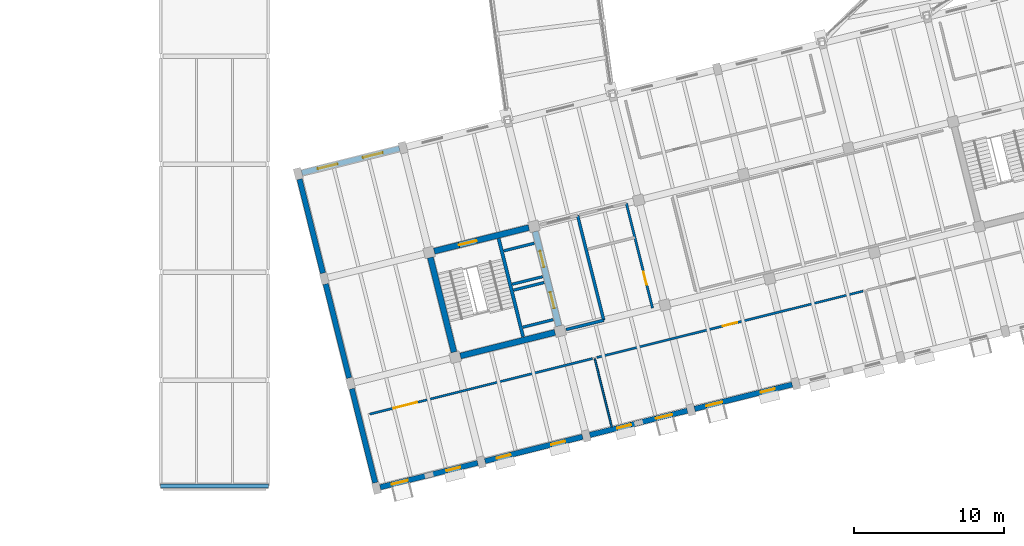
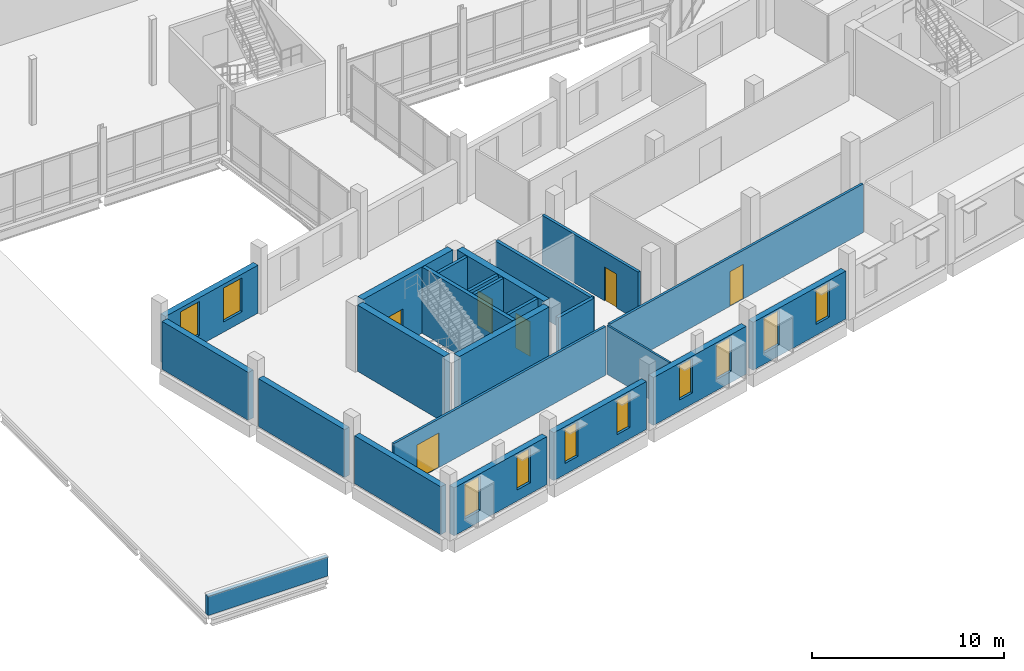
# One storey, part 54 of 72: 24 walls, 10 windows, 6 doors, 16 openings.
"""IFC4 building model written with IfcOpenShell, lengths in metres."""

from ifc_helpers import new_model, si_unit, direction, frame, frame_2d, origin, place, context, subcontext, project, spatial, rectangle, extrude, material, layer, layer_set, type_object, element, fill, save


model = new_model("IFC4")

# Units and contexts
model_context = context("Model", 3, precision=1e-05, world=origin(), true_north=direction((0.0, 1.0)))
body_context = subcontext(model_context, "Body", "Model", "MODEL_VIEW")
ifc_project = project(units=[si_unit("LENGTHUNIT", "METRE"), si_unit("AREAUNIT", "SQUARE_METRE"), si_unit("VOLUMEUNIT", "CUBIC_METRE"), si_unit("PLANEANGLEUNIT", "RADIAN"), si_unit("MASSUNIT", "GRAM", prefix="KILO")], contexts=[model_context])

# Site, building, storey
site_placement = place(None, origin())
site = spatial("IfcSite", under=ifc_project, at=site_placement, CompositionType="ELEMENT")
building_placement = place(site_placement, origin())
building = spatial("IfcBuilding", under=site, at=building_placement, Name="Qiaolan Assembly House", CompositionType="ELEMENT")
storey_placement = place(building_placement, frame((0.0, 0.0, 10.199951171875)))
storey = spatial("IfcBuildingStorey", under=building, at=storey_placement, Name="L02", CompositionType="ELEMENT", Elevation=10.199951171875)

# Wall
ifc_material_1 = material(Name="Concrete C45/55", Category="concrete")
ifc_layer_1 = layer(ifc_material_1, 0.39990234375)
ifc_layer_set_1 = layer_set([ifc_layer_1], Name="Concrete C45/55")
wall_type_1 = type_object("IfcWallType", Name="WAL-CORE-400", PredefinedType="SHEAR", material=ifc_layer_set_1)
wall_1_placement = place(storey_placement, frame((41.583984375, 8.812744140625, 0.0), z_axis=(0.0, 0.0, 1.0), x_axis=(0.970294759049, 0.241925774902, 0.0)))
element("IfcWall", 1, at=wall_1_placement, inside=storey, type_object=wall_type_1, Name="CW-400 shear core wall CORE-C S L02", PredefinedType="SHEAR", context=body_context, shape_type="SweptSolid", body=[
    extrude(rectangle(XDim=6.5, YDim=0.39990234375, at=frame_2d((3.25, 0.0))), origin(), (0.0, 0.0, 1.0), 4.199951171875),
])

# Wall, openings, doors
wall_2_placement = place(storey_placement, frame((48.145751953125, 10.809326171875, 0.0), z_axis=(0.0, 0.0, 1.0), x_axis=(-0.241925774902, 0.970294759049, 0.0)))
wall_2 = element("IfcWall", 2, at=wall_2_placement, inside=storey, type_object=wall_type_1, Name="CW-400 shear core wall CORE-C E L02", PredefinedType="SHEAR", context=body_context, shape_type="SweptSolid", body=[
    extrude(rectangle(XDim=6.5, YDim=0.39990234375, at=frame_2d((3.25, 0.0))), origin(), (0.0, 0.0, 1.0), 4.199951171875),
])
opening_1_placement = place(wall_2_placement, frame((1.22509765625, 0.0, 0.0)))
opening_1 = element("IfcOpeningElement", 3, at=opening_1_placement, cuts=wall_2, Name="Opening LD-048", PredefinedType="OPENING", context=body_context, shape_type="SweptSolid", body=[
    extrude(rectangle(XDim=1.10009765625, YDim=2.199951171875, at=frame_2d((0.550048828125, 1.10009765625))), frame((0.0, 0.2099609375, 0.0), z_axis=(0.0, -1.0, 0.0), x_axis=(1.0, 0.0, 0.0)), (0.0, 0.0, 1.0), 0.419921875),
])
opening_2_placement = place(wall_2_placement, frame((4.050048828125, 0.0, 0.0)))
opening_2 = element("IfcOpeningElement", 4, at=opening_2_placement, cuts=wall_2, Name="Opening LD-054", PredefinedType="OPENING", context=body_context, shape_type="SweptSolid", body=[
    extrude(rectangle(XDim=1.10009765625, YDim=2.199951171875, at=frame_2d((0.550048828125, 1.10009765625))), frame((0.0, 0.2099609375, 0.0), z_axis=(0.0, -1.0, 0.0), x_axis=(1.0, 0.0, 0.0)), (0.0, 0.0, 1.0), 0.419921875),
])
ifc_material_2 = material(Name="Anodised bronze aluminium", Category="aluminium")
door_type_1 = type_object("IfcDoorType", Name="DOR-LIFT-LD1100", OperationType="SLIDING_TO_LEFT", PredefinedType="DOOR", material=ifc_material_2)
door_1_placement = place(opening_1_placement, origin())
door_1 = element("IfcDoor", 5, at=door_1_placement, inside=storey, type_object=door_type_1, Name="Lift landing door LD-048 (LF-06 L02)", OperationType="SLIDING_TO_LEFT", OverallHeight=2.199951171875, OverallWidth=1.10009765625, PredefinedType="DOOR", context=body_context, shape_type="SweptSolid", body=[
    extrude(rectangle(XDim=1.10009765625, YDim=2.199951171875, at=frame_2d((0.550048828125, 1.10009765625))), frame((0.0, 0.02490234375, 0.0), z_axis=(0.0, -1.0, 0.0), x_axis=(1.0, 0.0, 0.0)), (0.0, 0.0, 1.0), 0.050048828125),
])
fill(opening_1, door_1)
door_2_placement = place(opening_2_placement, origin())
door_2 = element("IfcDoor", 6, at=door_2_placement, inside=storey, type_object=door_type_1, Name="Lift landing door LD-054 (LF-07 L02)", OperationType="SLIDING_TO_LEFT", OverallHeight=2.199951171875, OverallWidth=1.10009765625, PredefinedType="DOOR", context=body_context, shape_type="SweptSolid", body=[
    extrude(rectangle(XDim=1.10009765625, YDim=2.199951171875, at=frame_2d((0.550048828125, 1.10009765625))), frame((0.0, 0.02490234375, 0.0), z_axis=(0.0, -1.0, 0.0), x_axis=(1.0, 0.0, 0.0)), (0.0, 0.0, 1.0), 0.050048828125),
])
fill(opening_2, door_2)

# Wall, opening, door
wall_3_placement = place(storey_placement, frame((46.14892578125, 17.371337890625, 0.0), z_axis=(0.0, 0.0, 1.0), x_axis=(-0.970294759049, -0.241925774902, 0.0)))
wall_3 = element("IfcWall", 7, at=wall_3_placement, inside=storey, type_object=wall_type_1, Name="CW-400 shear core wall CORE-C N L02", PredefinedType="SHEAR", context=body_context, shape_type="SweptSolid", body=[
    extrude(rectangle(XDim=6.5, YDim=0.39990234375, at=frame_2d((3.25, 0.0))), origin(), (0.0, 0.0, 1.0), 4.199951171875),
])
opening_3_placement = place(wall_3_placement, frame((3.60009765625, 0.0, 0.0)))
opening_3 = element("IfcOpeningElement", 8, at=opening_3_placement, cuts=wall_3, Name="Opening FD-079", PredefinedType="OPENING", context=body_context, shape_type="SweptSolid", body=[
    extrude(rectangle(XDim=1.199951171875, YDim=2.199951171875, at=frame_2d((0.60009765625, 1.10009765625))), frame((0.0, 0.2099609375, 0.0), z_axis=(0.0, -1.0, 0.0), x_axis=(1.0, 0.0, 0.0)), (0.0, 0.0, 1.0), 0.419921875),
])
ifc_material_3 = material(Name="Steel Q355B", Category="steel")
door_type_2 = type_object("IfcDoorType", Name="DOR-FIRE-FD90-1200", OperationType="NOTDEFINED", PredefinedType="DOOR", material=ifc_material_3)
door_3_placement = place(opening_3_placement, frame((1.199951171875, 0.0, 0.0), z_axis=(0.0, 0.0, 1.0), x_axis=(-1.0, 0.0, 0.0)))
door_3 = element("IfcDoor", 9, at=door_3_placement, inside=storey, type_object=door_type_2, Name="Stairwell fire door FD-079 (CORE-C L02)", OperationType="SINGLE_SWING_LEFT", OverallHeight=2.199951171875, OverallWidth=1.199951171875, PredefinedType="DOOR", context=body_context, shape_type="SweptSolid", body=[
    extrude(rectangle(XDim=1.199951171875, YDim=2.199951171875, at=frame_2d((0.60009765625, 1.10009765625))), frame((0.0, 0.02490234375, 0.0), z_axis=(0.0, -1.0, 0.0), x_axis=(1.0, 0.0, 0.0)), (0.0, 0.0, 1.0), 0.050048828125),
])
fill(opening_3, door_3)

# Wall
wall_4_placement = place(storey_placement, frame((39.587158203125, 15.37451171875, 0.0), z_axis=(0.0, 0.0, 1.0), x_axis=(0.241925774902, -0.970294759049, 0.0)))
element("IfcWall", 10, at=wall_4_placement, inside=storey, type_object=wall_type_1, Name="CW-400 shear core wall CORE-C W L02", PredefinedType="SHEAR", context=body_context, shape_type="SweptSolid", body=[
    extrude(rectangle(XDim=6.5, YDim=0.39990234375, at=frame_2d((3.25, 0.0))), origin(), (0.0, 0.0, 1.0), 4.199951171875),
])

# Wall, openings, windows
ifc_material_4 = material(Name="Honed pale limestone", Category="masonry")
ifc_layer_2 = layer(ifc_material_4, 0.360107421875)
ifc_layer_set_2 = layer_set([ifc_layer_2], Name="Honed pale limestone")
wall_type_2 = type_object("IfcWallType", Name="WAL-EXT-LIMESTONE-360", PredefinedType="SOLIDWALL", material=ifc_layer_set_2)
wall_5_placement = place(storey_placement, frame((36.24072265625, 0.06005859375, 0.0), z_axis=(0.0, 0.0, 1.0), x_axis=(0.970296540998, 0.241918627903, 0.0)))
wall_5 = element("IfcWall", 11, at=wall_5_placement, inside=storey, type_object=wall_type_2, Name="EW-360 SE South boulevard wall L02 bay 1", PredefinedType="SOLIDWALL", context=body_context, shape_type="SweptSolid", body=[
    extrude(rectangle(XDim=6.7041015625, YDim=0.360107421875, at=frame_2d((3.35205078125, 0.0))), origin(), (0.0, 0.0, 1.0), 3.0400390625),
])
opening_4_placement = place(wall_5_placement, frame((0.802001953125, 0.0, 0.699951171875)))
opening_4 = element("IfcOpeningElement", 12, at=opening_4_placement, cuts=wall_5, Name="Opening WN-280", PredefinedType="OPENING", context=body_context, shape_type="SweptSolid", body=[
    extrude(rectangle(XDim=1.10009765625, YDim=2.18994140625, at=frame_2d((0.550048828125, 1.094970703125))), frame((0.0, 0.18994140625, 0.0), z_axis=(0.0, -1.0, 0.0), x_axis=(1.0, 0.0, 0.0)), (0.0, 0.0, 1.0), 0.380126953125),
])
opening_5_placement = place(wall_5_placement, frame((4.552001953125, 0.0, 0.699951171875)))
opening_5 = element("IfcOpeningElement", 13, at=opening_5_placement, cuts=wall_5, Name="Opening WN-281", PredefinedType="OPENING", context=body_context, shape_type="SweptSolid", body=[
    extrude(rectangle(XDim=0.949951171875, YDim=2.18994140625, at=frame_2d((0.47509765625, 1.094970703125))), frame((0.0, 0.18994140625, 0.0), z_axis=(0.0, -1.0, 0.0), x_axis=(1.0, 0.0, 0.0)), (0.0, 0.0, 1.0), 0.380126953125),
])
ifc_material_5 = material(Name="Low-E double insulating glass", Category="glass")
window_type_1 = type_object("IfcWindowType", Name="WIN-BOX-1100x2600", PartitioningType="SINGLE_PANEL", PredefinedType="WINDOW", material=ifc_material_5)
window_1_placement = place(opening_4_placement, origin())
window_1 = element("IfcWindow", 14, at=window_1_placement, inside=storey, type_object=window_type_1, Name="WN-T02 splayed window WN-280", OverallHeight=2.18994140625, OverallWidth=1.10009765625, PartitioningType="SINGLE_PANEL", PredefinedType="WINDOW", context=body_context, shape_type="SweptSolid", body=[
    extrude(rectangle(XDim=1.10009765625, YDim=2.18994140625, at=frame_2d((0.550048828125, 1.094970703125))), frame((0.0, 0.030029296875, 0.0), z_axis=(0.0, -1.0, 0.0), x_axis=(1.0, 0.0, 0.0)), (0.0, 0.0, 1.0), 0.06005859375),
])
fill(opening_4, window_1)
window_type_2 = type_object("IfcWindowType", Name="WIN-PUNCH-950x2400", PartitioningType="SINGLE_PANEL", PredefinedType="WINDOW", material=ifc_material_5)
window_2_placement = place(opening_5_placement, origin())
window_2 = element("IfcWindow", 15, at=window_2_placement, inside=storey, type_object=window_type_2, Name="WN-T06 splayed window WN-281", OverallHeight=2.18994140625, OverallWidth=0.949951171875, PartitioningType="SINGLE_PANEL", PredefinedType="WINDOW", context=body_context, shape_type="SweptSolid", body=[
    extrude(rectangle(XDim=0.949951171875, YDim=2.18994140625, at=frame_2d((0.47509765625, 1.094970703125))), frame((0.0, 0.030029296875, 0.0), z_axis=(0.0, -1.0, 0.0), x_axis=(1.0, 0.0, 0.0)), (0.0, 0.0, 1.0), 0.06005859375),
])
fill(opening_5, window_2)

wall_6_placement = place(storey_placement, frame((43.226806640625, 1.8017578125, 0.0), z_axis=(0.0, 0.0, 1.0), x_axis=(0.970296540998, 0.241918627903, 0.0)))
wall_6 = element("IfcWall", 16, at=wall_6_placement, inside=storey, type_object=wall_type_2, Name="EW-360 SE South boulevard wall L02 bay 2", PredefinedType="SOLIDWALL", context=body_context, shape_type="SweptSolid", body=[
    extrude(rectangle(XDim=6.7041015625, YDim=0.360107421875, at=frame_2d((3.35205078125, 0.0))), origin(), (0.0, 0.0, 1.0), 3.0400390625),
])
opening_6_placement = place(wall_6_placement, frame((0.802001953125, 0.0, 0.699951171875)))
opening_6 = element("IfcOpeningElement", 17, at=opening_6_placement, cuts=wall_6, Name="Opening WN-282", PredefinedType="OPENING", context=body_context, shape_type="SweptSolid", body=[
    extrude(rectangle(XDim=0.949951171875, YDim=2.18994140625, at=frame_2d((0.47509765625, 1.094970703125))), frame((0.0, 0.18994140625, 0.0), z_axis=(0.0, -1.0, 0.0), x_axis=(1.0, 0.0, 0.0)), (0.0, 0.0, 1.0), 0.380126953125),
])
opening_7_placement = place(wall_6_placement, frame((4.552001953125, 0.0, 0.699951171875)))
opening_7 = element("IfcOpeningElement", 18, at=opening_7_placement, cuts=wall_6, Name="Opening WN-283", PredefinedType="OPENING", context=body_context, shape_type="SweptSolid", body=[
    extrude(rectangle(XDim=0.949951171875, YDim=2.18994140625, at=frame_2d((0.47509765625, 1.094970703125))), frame((0.0, 0.18994140625, 0.0), z_axis=(0.0, -1.0, 0.0), x_axis=(1.0, 0.0, 0.0)), (0.0, 0.0, 1.0), 0.380126953125),
])
window_3_placement = place(opening_6_placement, origin())
window_3 = element("IfcWindow", 19, at=window_3_placement, inside=storey, type_object=window_type_2, Name="WN-T06 splayed window WN-282", OverallHeight=2.18994140625, OverallWidth=0.949951171875, PartitioningType="SINGLE_PANEL", PredefinedType="WINDOW", context=body_context, shape_type="SweptSolid", body=[
    extrude(rectangle(XDim=0.949951171875, YDim=2.18994140625, at=frame_2d((0.47509765625, 1.094970703125))), frame((0.0, 0.030029296875, 0.0), z_axis=(0.0, -1.0, 0.0), x_axis=(1.0, 0.0, 0.0)), (0.0, 0.0, 1.0), 0.06005859375),
])
fill(opening_6, window_3)
window_4_placement = place(opening_7_placement, origin())
window_4 = element("IfcWindow", 20, at=window_4_placement, inside=storey, type_object=window_type_2, Name="WN-T06 splayed window WN-283", OverallHeight=2.18994140625, OverallWidth=0.949951171875, PartitioningType="SINGLE_PANEL", PredefinedType="WINDOW", context=body_context, shape_type="SweptSolid", body=[
    extrude(rectangle(XDim=0.949951171875, YDim=2.18994140625, at=frame_2d((0.47509765625, 1.094970703125))), frame((0.0, 0.030029296875, 0.0), z_axis=(0.0, -1.0, 0.0), x_axis=(1.0, 0.0, 0.0)), (0.0, 0.0, 1.0), 0.06005859375),
])
fill(opening_7, window_4)

wall_7_placement = place(storey_placement, frame((50.212890625, 3.543701171875, 0.0), z_axis=(0.0, 0.0, 1.0), x_axis=(0.970296540998, 0.241918627903, 0.0)))
wall_7 = element("IfcWall", 21, at=wall_7_placement, inside=storey, type_object=wall_type_2, Name="EW-360 SE South boulevard wall L02 bay 3", PredefinedType="SOLIDWALL", context=body_context, shape_type="SweptSolid", body=[
    extrude(rectangle(XDim=6.7041015625, YDim=0.360107421875, at=frame_2d((3.35205078125, 0.0))), origin(), (0.0, 0.0, 1.0), 3.0400390625),
])
opening_8_placement = place(wall_7_placement, frame((1.876953125, 0.0, 0.699951171875)))
opening_8 = element("IfcOpeningElement", 22, at=opening_8_placement, cuts=wall_7, Name="Opening WN-284", PredefinedType="OPENING", context=body_context, shape_type="SweptSolid", body=[
    extrude(rectangle(XDim=0.949951171875, YDim=2.18994140625, at=frame_2d((0.47509765625, 1.094970703125))), frame((0.0, 0.18994140625, 0.0), z_axis=(0.0, -1.0, 0.0), x_axis=(1.0, 0.0, 0.0)), (0.0, 0.0, 1.0), 0.380126953125),
])
opening_9_placement = place(wall_7_placement, frame((4.552001953125, 0.0, 0.699951171875)))
opening_9 = element("IfcOpeningElement", 23, at=opening_9_placement, cuts=wall_7, Name="Opening WN-285", PredefinedType="OPENING", context=body_context, shape_type="SweptSolid", body=[
    extrude(rectangle(XDim=1.10009765625, YDim=2.18994140625, at=frame_2d((0.550048828125, 1.094970703125))), frame((0.0, 0.18994140625, 0.0), z_axis=(0.0, -1.0, 0.0), x_axis=(1.0, 0.0, 0.0)), (0.0, 0.0, 1.0), 0.380126953125),
])
window_5_placement = place(opening_9_placement, origin())
window_5 = element("IfcWindow", 24, at=window_5_placement, inside=storey, type_object=window_type_1, Name="WN-T02 splayed window WN-285", OverallHeight=2.18994140625, OverallWidth=1.10009765625, PartitioningType="SINGLE_PANEL", PredefinedType="WINDOW", context=body_context, shape_type="SweptSolid", body=[
    extrude(rectangle(XDim=1.10009765625, YDim=2.18994140625, at=frame_2d((0.550048828125, 1.094970703125))), frame((0.0, 0.030029296875, 0.0), z_axis=(0.0, -1.0, 0.0), x_axis=(1.0, 0.0, 0.0)), (0.0, 0.0, 1.0), 0.06005859375),
])
fill(opening_9, window_5)
window_6_placement = place(opening_8_placement, origin())
window_6 = element("IfcWindow", 25, at=window_6_placement, inside=storey, type_object=window_type_2, Name="WN-T06 splayed window WN-284", OverallHeight=2.18994140625, OverallWidth=0.949951171875, PartitioningType="SINGLE_PANEL", PredefinedType="WINDOW", context=body_context, shape_type="SweptSolid", body=[
    extrude(rectangle(XDim=0.949951171875, YDim=2.18994140625, at=frame_2d((0.47509765625, 1.094970703125))), frame((0.0, 0.030029296875, 0.0), z_axis=(0.0, -1.0, 0.0), x_axis=(1.0, 0.0, 0.0)), (0.0, 0.0, 1.0), 0.06005859375),
])
fill(opening_8, window_6)

wall_8_placement = place(storey_placement, frame((57.198974609375, 5.285400390625, 0.0), z_axis=(0.0, 0.0, 1.0), x_axis=(0.970287992186, 0.241952913229, 0.0)))
wall_8 = element("IfcWall", 26, at=wall_8_placement, inside=storey, type_object=wall_type_2, Name="EW-360 SE South boulevard wall L02 bay 4", PredefinedType="SOLIDWALL", context=body_context, shape_type="SweptSolid", body=[
    extrude(rectangle(XDim=6.7041015625, YDim=0.360107421875, at=frame_2d((3.35205078125, 0.0))), origin(), (0.0, 0.0, 1.0), 3.0400390625),
])
opening_10_placement = place(wall_8_placement, frame((0.802001953125, 0.0, 0.699951171875)))
opening_10 = element("IfcOpeningElement", 27, at=opening_10_placement, cuts=wall_8, Name="Opening WN-286", PredefinedType="OPENING", context=body_context, shape_type="SweptSolid", body=[
    extrude(rectangle(XDim=1.10009765625, YDim=2.18994140625, at=frame_2d((0.550048828125, 1.094970703125))), frame((0.0, 0.18994140625, 0.0), z_axis=(0.0, -1.0, 0.0), x_axis=(1.0, 0.0, 0.0)), (0.0, 0.0, 1.0), 0.380126953125),
])
opening_11_placement = place(wall_8_placement, frame((4.552001953125, 0.0, 0.699951171875)))
opening_11 = element("IfcOpeningElement", 28, at=opening_11_placement, cuts=wall_8, Name="Opening WN-287", PredefinedType="OPENING", context=body_context, shape_type="SweptSolid", body=[
    extrude(rectangle(XDim=0.949951171875, YDim=2.18994140625, at=frame_2d((0.47509765625, 1.094970703125))), frame((0.0, 0.18994140625, 0.0), z_axis=(0.0, -1.0, 0.0), x_axis=(1.0, 0.0, 0.0)), (0.0, 0.0, 1.0), 0.380126953125),
])
window_7_placement = place(opening_10_placement, origin())
window_7 = element("IfcWindow", 29, at=window_7_placement, inside=storey, type_object=window_type_1, Name="WN-T02 splayed window WN-286", OverallHeight=2.18994140625, OverallWidth=1.10009765625, PartitioningType="SINGLE_PANEL", PredefinedType="WINDOW", context=body_context, shape_type="SweptSolid", body=[
    extrude(rectangle(XDim=1.10009765625, YDim=2.18994140625, at=frame_2d((0.550048828125, 1.094970703125))), frame((0.0, 0.030029296875, 0.0), z_axis=(0.0, -1.0, 0.0), x_axis=(1.0, 0.0, 0.0)), (0.0, 0.0, 1.0), 0.06005859375),
])
fill(opening_10, window_7)
window_8_placement = place(opening_11_placement, origin())
window_8 = element("IfcWindow", 30, at=window_8_placement, inside=storey, type_object=window_type_2, Name="WN-T06 splayed window WN-287", OverallHeight=2.18994140625, OverallWidth=0.949951171875, PartitioningType="SINGLE_PANEL", PredefinedType="WINDOW", context=body_context, shape_type="SweptSolid", body=[
    extrude(rectangle(XDim=0.949951171875, YDim=2.18994140625, at=frame_2d((0.47509765625, 1.094970703125))), frame((0.0, 0.030029296875, 0.0), z_axis=(0.0, -1.0, 0.0), x_axis=(1.0, 0.0, 0.0)), (0.0, 0.0, 1.0), 0.06005859375),
])
fill(opening_11, window_8)

wall_9_placement = place(storey_placement, frame((37.52001953125, 22.64013671875, 0.0), z_axis=(0.0, 0.0, 1.0), x_axis=(-0.970296540998, -0.241918627903, 0.0)))
wall_9 = element("IfcWall", 31, at=wall_9_placement, inside=storey, type_object=wall_type_2, Name="EW-360 SE North court wall L02 bay 1", PredefinedType="SOLIDWALL", context=body_context, shape_type="SweptSolid", body=[
    extrude(rectangle(XDim=6.7041015625, YDim=0.360107421875, at=frame_2d((3.35205078125, 0.0))), origin(), (0.0, 0.0, 1.0), 3.0400390625),
])
opening_12_placement = place(wall_9_placement, frame((1.152099609375, 0.0, 0.64990234375)))
opening_12 = element("IfcOpeningElement", 32, at=opening_12_placement, cuts=wall_9, Name="Opening WN-296", PredefinedType="OPENING", context=body_context, shape_type="SweptSolid", body=[
    extrude(rectangle(XDim=1.35009765625, YDim=2.14990234375, at=frame_2d((0.675048828125, 1.074951171875))), frame((0.0, 0.18994140625, 0.0), z_axis=(0.0, -1.0, 0.0), x_axis=(1.0, 0.0, 0.0)), (0.0, 0.0, 1.0), 0.380126953125),
])
opening_13_placement = place(wall_9_placement, frame((4.251953125, 0.0, 0.64990234375)))
opening_13 = element("IfcOpeningElement", 33, at=opening_13_placement, cuts=wall_9, Name="Opening WN-297", PredefinedType="OPENING", context=body_context, shape_type="SweptSolid", body=[
    extrude(rectangle(XDim=1.35009765625, YDim=2.14990234375, at=frame_2d((0.675048828125, 1.074951171875))), frame((0.0, 0.18994140625, 0.0), z_axis=(0.0, -1.0, 0.0), x_axis=(1.0, 0.0, 0.0)), (0.0, 0.0, 1.0), 0.380126953125),
])
window_type_3 = type_object("IfcWindowType", Name="WIN-COURT-1350x2150", PartitioningType="DOUBLE_PANEL_VERTICAL", PredefinedType="WINDOW", material=ifc_material_5)
window_9_placement = place(opening_12_placement, origin())
window_9 = element("IfcWindow", 34, at=window_9_placement, inside=storey, type_object=window_type_3, Name="SE court window WN-296", OverallHeight=2.14990234375, OverallWidth=1.35009765625, PartitioningType="DOUBLE_PANEL_VERTICAL", PredefinedType="WINDOW", context=body_context, shape_type="SweptSolid", body=[
    extrude(rectangle(XDim=1.35009765625, YDim=2.14990234375, at=frame_2d((0.675048828125, 1.074951171875))), frame((0.0, 0.030029296875, 0.0), z_axis=(0.0, -1.0, 0.0), x_axis=(1.0, 0.0, 0.0)), (0.0, 0.0, 1.0), 0.06005859375),
])
fill(opening_12, window_9)
window_10_placement = place(opening_13_placement, origin())
window_10 = element("IfcWindow", 35, at=window_10_placement, inside=storey, type_object=window_type_3, Name="SE court window WN-297", OverallHeight=2.14990234375, OverallWidth=1.35009765625, PartitioningType="DOUBLE_PANEL_VERTICAL", PredefinedType="WINDOW", context=body_context, shape_type="SweptSolid", body=[
    extrude(rectangle(XDim=1.35009765625, YDim=2.14990234375, at=frame_2d((0.675048828125, 1.074951171875))), frame((0.0, 0.030029296875, 0.0), z_axis=(0.0, -1.0, 0.0), x_axis=(1.0, 0.0, 0.0)), (0.0, 0.0, 1.0), 0.06005859375),
])
fill(opening_13, window_10)

# Walls
wall_10_placement = place(storey_placement, frame((34.348388671875, 6.624267578125, 0.0), z_axis=(0.0, 0.0, 1.0), x_axis=(0.241903640236, -0.970300277667, 0.0)))
element("IfcWall", 36, at=wall_10_placement, inside=storey, type_object=wall_type_2, Name="SE West wall L02-1", PredefinedType="SOLIDWALL", context=body_context, shape_type="SweptSolid", body=[
    extrude(rectangle(XDim=6.4541015625, YDim=0.360107421875, at=frame_2d((3.22705078125, 0.0))), origin(), (0.0, 0.0, 1.0), 3.0400390625),
])
for number, where, z_axis, x_axis, name in (
    (37, (32.6064453125, 13.6103515625, 0.0), (0.0, 0.0, 1.0), (0.241948133388, -0.970289184084, 0.0), "SE West wall L02-2"),
    (38, (30.86474609375, 20.596435546875, 0.0), (0.0, 0.0, 1.0), (0.241912519272, -0.970298064009, 0.0), "SE West wall L02-3"),
):
    element("IfcWall", number, at=place(storey_placement, frame(where, z_axis=z_axis, x_axis=x_axis)), inside=storey, type_object=wall_type_2, Name=name, PredefinedType="SOLIDWALL", context=body_context, shape_type="SweptSolid", body=[
        extrude(rectangle(XDim=6.453857421875, YDim=0.360107421875, at=frame_2d((3.22705078125, 0.0))), origin(), (0.0, 0.0, 1.0), 3.0400390625),
    ])
ifc_material_6 = material(Name="Concrete C35/45", Category="concrete")
ifc_layer_3 = layer(ifc_material_6, 0.199951171875)
ifc_layer_set_3 = layer_set([ifc_layer_3], Name="Concrete C35/45")
wall_type_3 = type_object("IfcWallType", Name="WAL-LOBBY-200", PredefinedType="PARTITIONING", material=ifc_layer_set_3)
wall_11_placement = place(storey_placement, frame((51.141357421875, 11.195556640625, 0.0), z_axis=(0.0, 0.0, 1.0), x_axis=(-0.241937193493, 0.970291911955, 0.0)))
element("IfcWall", 39, at=wall_11_placement, inside=storey, type_object=wall_type_3, Name="Firefighting lift lobby east wall CORE-C L02", PredefinedType="PARTITIONING", context=body_context, shape_type="SweptSolid", body=[
    extrude(rectangle(XDim=7.199951171875, YDim=0.199951171875, at=frame_2d((3.60009765625, 0.0))), origin(), (0.0, 0.0, 1.0), 3.080078125),
])
wall_12_placement = place(storey_placement, frame((48.637939453125, 10.571533203125, 0.0), z_axis=(0.0, 0.0, 1.0), x_axis=(0.970309259708, 0.2418676095, 0.0)))
element("IfcWall", 40, at=wall_12_placement, inside=storey, type_object=wall_type_3, Name="Firefighting lift lobby south wall CORE-C L02", PredefinedType="PARTITIONING", context=body_context, shape_type="SweptSolid", body=[
    extrude(rectangle(XDim=2.580078125, YDim=0.199951171875, at=frame_2d((1.2900390625, 0.0))), origin(), (0.0, 0.0, 1.0), 3.080078125),
])
ifc_material_7 = material(Name="Precast concrete C40/50", Category="concrete")
ifc_layer_4 = layer(ifc_material_7, 0.25)
ifc_layer_set_4 = layer_set([ifc_layer_4], Name="Precast concrete C40/50")
wall_type_4 = type_object("IfcWallType", Name="WAL-PARAPET-250", PredefinedType="PARAPET", material=ifc_layer_set_4)
wall_13_placement = place(storey_placement, frame((21.60009765625, 0.14990234375, 0.0), z_axis=(0.0, 0.0, 1.0), x_axis=(1.0, 0.0, 0.0)))
element("IfcWall", 41, at=wall_13_placement, inside=storey, type_object=wall_type_4, Name="PW-250 neoclassical cornice parapet wall PAR-PASS-S", PredefinedType="PARAPET", context=body_context, shape_type="SweptSolid", body=[
    extrude(rectangle(XDim=7.199951171875, YDim=0.25, at=frame_2d((3.60009765625, 0.0))), origin(), (0.0, 0.0, 1.0), 1.199951171875),
])
ifc_material_8 = material(Name="Gypsum plasterboard partition")
ifc_layer_5 = layer(ifc_material_8, 0.1201171875)
ifc_layer_set_5 = layer_set([ifc_layer_5], Name="Gypsum plasterboard partition")
wall_type_5 = type_object("IfcWallType", Name="WAL-PART-120", PredefinedType="PARTITIONING", material=ifc_layer_set_5)
wall_14_placement = place(storey_placement, frame((51.67529296875, 4.09375, 0.0), z_axis=(0.0, 0.0, 1.0), x_axis=(-0.241945139998, 0.970289930501, 0.0)))
element("IfcWall", 42, at=wall_14_placement, inside=storey, type_object=wall_type_5, Name="Council Members Shared Working Offices demising wall", PredefinedType="PARTITIONING", context=body_context, shape_type="SweptSolid", body=[
    extrude(rectangle(XDim=4.669921875, YDim=0.1201171875, at=frame_2d((2.3349609375, 0.0))), origin(), (0.0, 0.0, 1.0), 3.080078125),
])

# Wall, opening, door
ifc_layer_6 = layer(ifc_material_8, 0.14990234375)
ifc_layer_set_6 = layer_set([ifc_layer_6], Name="Gypsum plasterboard partition")
wall_type_6 = type_object("IfcWallType", Name="WAL-PART-150", PredefinedType="PARTITIONING", material=ifc_layer_set_6)
wall_15_placement = place(storey_placement, frame((35.542236328125, 4.935791015625, 0.0), z_axis=(0.0, 0.0, 1.0), x_axis=(0.97029624016, 0.241919834513, 0.0)))
wall_15 = element("IfcWall", 43, at=wall_15_placement, inside=storey, type_object=wall_type_6, Name="Standing Committee Suite A — Civic Governance north wall", PredefinedType="PARTITIONING", context=body_context, shape_type="SweptSolid", body=[
    extrude(rectangle(XDim=15.30029296875, YDim=0.14990234375, at=frame_2d((7.650146484375, 0.0))), origin(), (0.0, 0.0, 1.0), 3.080078125),
])
opening_14_placement = place(wall_15_placement, frame((1.64990234375, 0.0, 0.0)))
opening_14 = element("IfcOpeningElement", 44, at=opening_14_placement, cuts=wall_15, Name="Opening SD-248", PredefinedType="OPENING", context=body_context, shape_type="SweptSolid", body=[
    extrude(rectangle(XDim=1.60009765625, YDim=2.199951171875, at=frame_2d((0.800048828125, 1.10009765625))), frame((0.0, 0.0849609375, 0.0), z_axis=(0.0, -1.0, 0.0), x_axis=(1.0, 0.0, 0.0)), (0.0, 0.0, 1.0), 0.169921875),
])
ifc_material_9 = material(Name="Acoustic oak panelling")
door_type_3 = type_object("IfcDoorType", Name="DOR-COMM-DBL-1600", OperationType="DOUBLE_DOOR_SINGLE_SWING", PredefinedType="DOOR", material=ifc_material_9)
door_4_placement = place(opening_14_placement, origin())
door_4 = element("IfcDoor", 45, at=door_4_placement, inside=storey, type_object=door_type_3, Name="Standing Committee Suite A — Civic Governance door SD-248", OperationType="DOUBLE_DOOR_SINGLE_SWING", OverallHeight=2.199951171875, OverallWidth=1.60009765625, PredefinedType="DOOR", context=body_context, shape_type="SweptSolid", body=[
    extrude(rectangle(XDim=1.60009765625, YDim=2.199951171875, at=frame_2d((0.800048828125, 1.10009765625))), frame((0.0, 0.02490234375, 0.0), z_axis=(0.0, -1.0, 0.0), x_axis=(1.0, 0.0, 0.0)), (0.0, 0.0, 1.0), 0.050048828125),
])
fill(opening_14, door_4)

wall_16_placement = place(storey_placement, frame((50.678955078125, 8.7099609375, 0.0), z_axis=(0.0, 0.0, 1.0), x_axis=(0.97029768554, 0.241914037287, 0.0)))
wall_16 = element("IfcWall", 46, at=wall_16_placement, inside=storey, type_object=wall_type_6, Name="Council Members Shared Working Offices north wall", PredefinedType="PARTITIONING", context=body_context, shape_type="SweptSolid", body=[
    extrude(rectangle(XDim=18.2998046875, YDim=0.14990234375, at=frame_2d((9.14990234375, 0.0))), origin(), (0.0, 0.0, 1.0), 3.080078125),
])
opening_15_placement = place(wall_16_placement, frame((8.64990234375, 0.0, 0.0)))
opening_15 = element("IfcOpeningElement", 47, at=opening_15_placement, cuts=wall_16, Name="Opening SD-249", PredefinedType="OPENING", context=body_context, shape_type="SweptSolid", body=[
    extrude(rectangle(XDim=1.0, YDim=2.199951171875, at=frame_2d((0.5, 1.10009765625))), frame((0.0, 0.0849609375, 0.0), z_axis=(0.0, -1.0, 0.0), x_axis=(1.0, 0.0, 0.0)), (0.0, 0.0, 1.0), 0.169921875),
])
door_type_4 = type_object("IfcDoorType", Name="DOR-OFF-SGL-1000", OperationType="NOTDEFINED", PredefinedType="DOOR", material=ifc_material_9)
door_5_placement = place(opening_15_placement, origin())
door_5 = element("IfcDoor", 48, at=door_5_placement, inside=storey, type_object=door_type_4, Name="Council Members Shared Working Offices door SD-249", OperationType="SINGLE_SWING_LEFT", OverallHeight=2.199951171875, OverallWidth=1.0, PredefinedType="DOOR", context=body_context, shape_type="SweptSolid", body=[
    extrude(rectangle(XDim=1.0, YDim=2.199951171875, at=frame_2d((0.5, 1.10009765625))), frame((0.0, 0.02490234375, 0.0), z_axis=(0.0, -1.0, 0.0), x_axis=(1.0, 0.0, 0.0)), (0.0, 0.0, 1.0), 0.050048828125),
])
fill(opening_15, door_5)

# Walls
ifc_layer_7 = layer(ifc_material_6, 0.18505859375)
ifc_layer_set_7 = layer_set([ifc_layer_7], Name="Concrete C35/45")
wall_type_7 = type_object("IfcWallType", Name="WAL-SHAFT-200", PredefinedType="PARTITIONING", material=ifc_layer_set_7)
for number, where, z_axis, x_axis, name in (
    (49, (45.74462890625, 10.72607421875, 0.0), (0.0, 0.0, 1.0), (0.970292765557, 0.241933770084, 0.0), "SW-200 lift shaft wall LF-06 L02 DIVS"),
    (50, (45.127685546875, 13.2001953125, 0.0), (0.0, 0.0, 1.0), (0.970292765557, 0.241933770084, 0.0), "SW-200 lift shaft wall LF-06 L02 DIVN"),
    (51, (45.031005859375, 13.58837890625, 0.0), (0.0, 0.0, 1.0), (0.970292765557, 0.241933770084, 0.0), "SW-200 lift shaft wall LF-07 L02 DIVS"),
    (52, (44.474609375, 15.820068359375, 0.0), (0.0, 0.0, 1.0), (0.970292765557, 0.241933770084, 0.0), "SW-200 lift shaft wall LF-07 L02 DIVN"),
):
    element("IfcWall", number, at=place(storey_placement, frame(where, z_axis=z_axis, x_axis=x_axis)), inside=storey, type_object=wall_type_7, Name=name, PredefinedType="PARTITIONING", context=body_context, shape_type="SweptSolid", body=[
        extrude(rectangle(XDim=2.10009765625, YDim=0.18505859375, at=frame_2d((1.050048828125, 0.0))), origin(), (0.0, 0.0, 1.0), 4.199951171875),
    ])
ifc_material_10 = material(Name="Concrete C40/50", Category="concrete")
ifc_layer_8 = layer(ifc_material_10, 0.22509765625)
ifc_layer_set_8 = layer_set([ifc_layer_8], Name="Concrete C40/50")
wall_type_8 = type_object("IfcWallType", Name="WAL-STAIR-DIV-225", PredefinedType="SHEAR", material=ifc_layer_set_8)
wall_17_placement = place(storey_placement, frame((45.770751953125, 10.083251953125, 0.0), z_axis=(0.0, 0.0, 1.0), x_axis=(-0.241898249226, 0.970301621673, 0.0)))
element("IfcWall", 53, at=wall_17_placement, inside=storey, type_object=wall_type_8, Name="SDW-225 stairwell structural spine wall CORE-C L02", PredefinedType="SHEAR", context=body_context, shape_type="SweptSolid", body=[
    extrude(rectangle(XDim=6.760009765625, YDim=0.22509765625, at=frame_2d((3.3798828125, 0.0))), origin(), (0.0, 0.0, 1.0), 4.199951171875),
])

# Wall, opening, door
ifc_material_11 = material(Name="Concrete C30/37", Category="concrete")
ifc_layer_9 = layer(ifc_material_11, 0.1650390625)
ifc_layer_set_9 = layer_set([ifc_layer_9], Name="Concrete C30/37")
wall_type_9 = type_object("IfcWallType", Name="WAL-WET-150", PredefinedType="PARTITIONING", material=ifc_layer_set_9)
wall_18_placement = place(storey_placement, frame((54.391845703125, 12.006103515625, 0.0), z_axis=(0.0, 0.0, 1.0), x_axis=(-0.241937193493, 0.970291911955, 0.0)))
wall_18 = element("IfcWall", 54, at=wall_18_placement, inside=storey, type_object=wall_type_9, Name="Public WC east wall CORE-C L02", PredefinedType="PARTITIONING", context=body_context, shape_type="SweptSolid", body=[
    extrude(rectangle(XDim=7.199951171875, YDim=0.1650390625, at=frame_2d((3.60009765625, 0.0))), origin(), (0.0, 0.0, 1.0), 3.080078125),
])
opening_16_placement = place(wall_18_placement, frame((1.60009765625, 0.0, 0.0)))
opening_16 = element("IfcOpeningElement", 55, at=opening_16_placement, cuts=wall_18, Name="Opening WD-081", PredefinedType="OPENING", context=body_context, shape_type="SweptSolid", body=[
    extrude(rectangle(XDim=0.89990234375, YDim=2.14990234375, at=frame_2d((0.449951171875, 1.074951171875))), frame((0.0, 0.092529296875, 0.0), z_axis=(0.0, -1.0, 0.0), x_axis=(1.0, 0.0, 0.0)), (0.0, 0.0, 1.0), 0.18505859375),
])
door_type_5 = type_object("IfcDoorType", Name="DOR-WC-900", OperationType="NOTDEFINED", PredefinedType="DOOR", material=ifc_material_9)
door_6_placement = place(opening_16_placement, origin())
door_6 = element("IfcDoor", 56, at=door_6_placement, inside=storey, type_object=door_type_5, Name="Public Restroom door WD-081", OperationType="SINGLE_SWING_RIGHT", OverallHeight=2.14990234375, OverallWidth=0.89990234375, PredefinedType="DOOR", context=body_context, shape_type="SweptSolid", body=[
    extrude(rectangle(XDim=0.89990234375, YDim=2.14990234375, at=frame_2d((0.449951171875, 1.074951171875))), frame((0.0, 0.02490234375, 0.0), z_axis=(0.0, -1.0, 0.0), x_axis=(1.0, 0.0, 0.0)), (0.0, 0.0, 1.0), 0.050048828125),
])
fill(opening_16, door_6)

save(model, "model.ifc")
